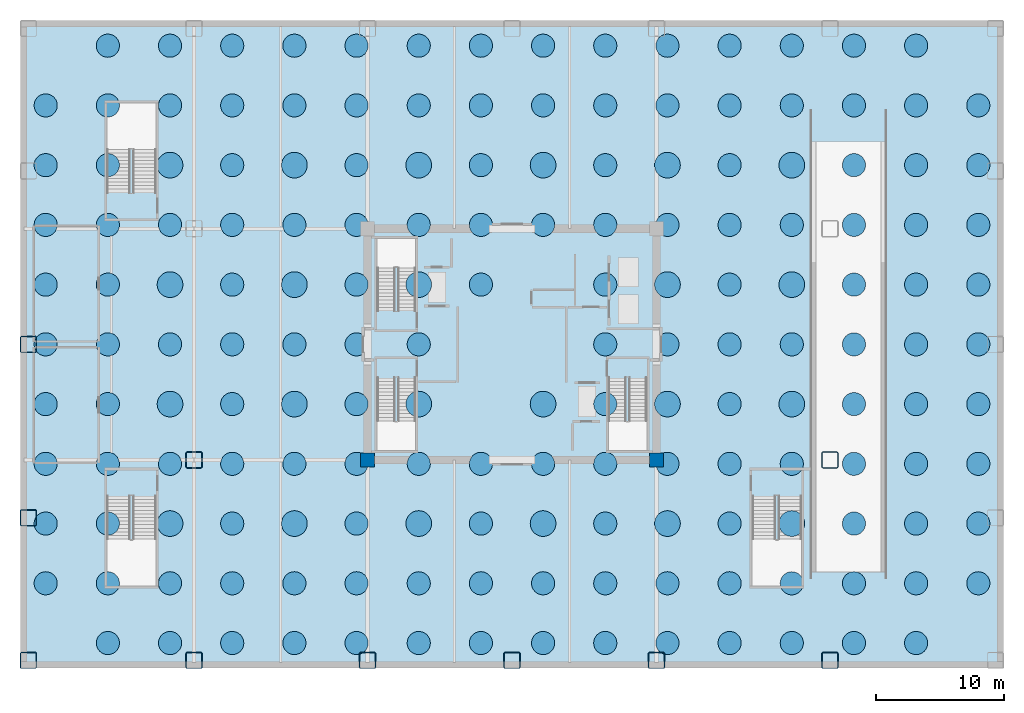
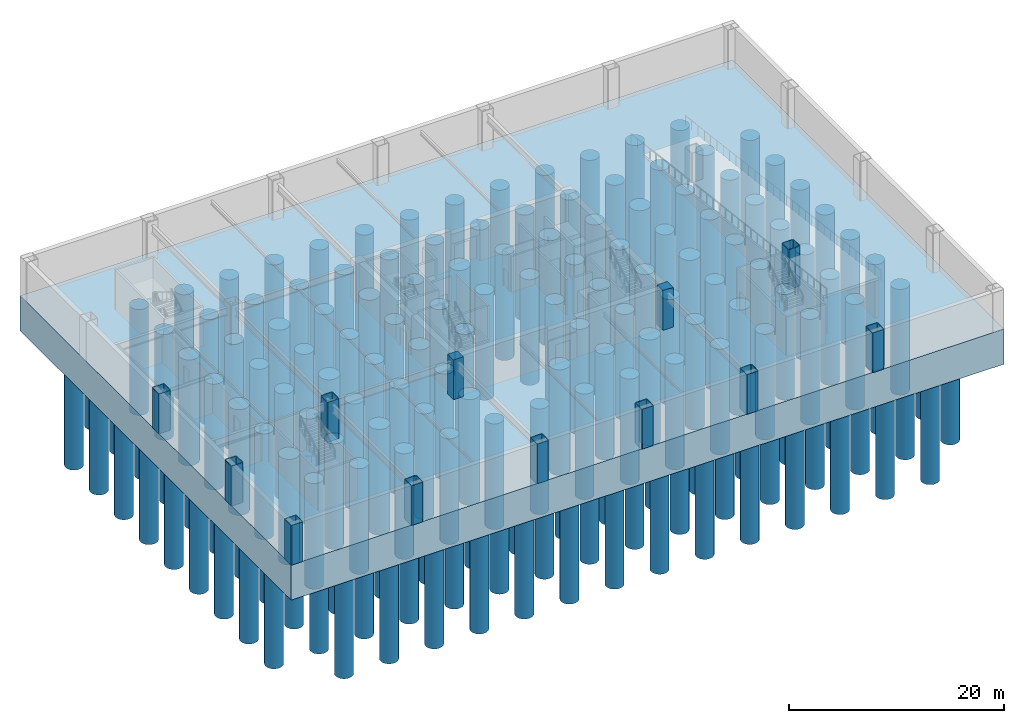
# One storey, part 1 of 11: 168 piles, 12 columns, 1 footing.
"""IFC4 building model written with IfcOpenShell, lengths in metres."""

from ifc_helpers import new_model, si_unit, direction, frame, origin, origin_2d, place, context, subcontext, project, spatial, polyline, rectangle, hollow_rectangle, circle, outline, extrude, source, transform, mapped, material, layer, layer_set, material_profile, profile_set, type_object, element, save


model = new_model("IFC4")

# Units and contexts
model_context = context("Model", 3, precision=1e-05, world=origin(), true_north=direction((0.0, 1.0)))
body_context = subcontext(model_context, "Body", "Model", "MODEL_VIEW")
ifc_project = project(units=[si_unit("LENGTHUNIT", "METRE"), si_unit("AREAUNIT", "SQUARE_METRE"), si_unit("VOLUMEUNIT", "CUBIC_METRE"), si_unit("PLANEANGLEUNIT", "RADIAN"), si_unit("MASSUNIT", "GRAM", prefix="KILO")], contexts=[model_context])

# Site, building, storey
site_placement = place(None, origin())
site = spatial("IfcSite", under=ifc_project, at=site_placement, CompositionType="ELEMENT")
building_placement = place(site_placement, origin())
building = spatial("IfcBuilding", under=site, at=building_placement, Name="Nefas-Gora Pilgrimage Tower", CompositionType="ELEMENT")
storey_placement = place(building_placement, frame((0.0, 0.0, -9.0)))
storey = spatial("IfcBuildingStorey", under=building, at=storey_placement, Name="B02", CompositionType="ELEMENT", Elevation=-9.0)

# Footing
ifc_material_1 = material(Name="Concrete C50/60", Category="concrete")
ifc_layer = layer(ifc_material_1, 4.0)
ifc_layer_set = layer_set([ifc_layer], Name="Concrete C50/60")
footing_type = type_object("IfcFootingType", Name="FTG-RAFT-4000", PredefinedType="CAISSON_FOUNDATION", material=ifc_layer_set)
footing_placement = place(storey_placement, frame((0.0, 0.0, -4.0)))
element("IfcFooting", 1, at=footing_placement, inside=storey, type_object=footing_type, Name="Monolithic Basalt-Socketed Piled Raft RAFT-01", PredefinedType="CAISSON_FOUNDATION", context=body_context, shape_type="SweptSolid", body=[
    extrude(outline(polyline([(-38.25, -25.199951171875), (38.25, -25.199951171875), (38.25, 25.199951171875), (-38.25, 25.199951171875), (-38.25, -25.199951171875)])), origin(), (0.0, 0.0, 1.0), 4.0),
])

# Piles
ifc_material_2 = material(Name="Concrete C45/55", Category="concrete")
ifc_material_profile_1 = material_profile(ifc_material_2, circle(Radius=0.89990234375, at=origin_2d()), Name="PILE D1800")
ifc_profile_set_1 = profile_set([ifc_material_profile_1], Name="Concrete C45/55")
pile_type_1 = type_object("IfcPileType", Name="PILE-BORED-1800", PredefinedType="BORED", material=ifc_profile_set_1)
shared_shape_1 = source(origin(), body_context, "Body", "SweptSolid", [
    extrude(circle(Radius=0.89990234375, at=origin_2d()), origin(), (0.0, 0.0, 1.0), 12.0),
])
for number, where, z_axis, x_axis, name in (
    (2, (-31.4599609375, -23.25, -3.85009765625), (0.0, 0.0, -1.0), (1.0, 0.0, 0.0), "Bored Rock-Socketed Pile P2 (PILE-001)"),
    (3, (-26.6201171875, -23.25, -3.85009765625), (0.0, 0.0, -1.0), (1.0, 0.0, 0.0), "Bored Rock-Socketed Pile P2 (PILE-002)"),
    (4, (-21.780029296875, -23.25, -3.85009765625), (0.0, 0.0, -1.0), (1.0, 0.0, 0.0), "Bored Rock-Socketed Pile P2 (PILE-003)"),
    (5, (-16.93994140625, -23.25, -3.85009765625), (0.0, 0.0, -1.0), (1.0, 0.0, 0.0), "Bored Rock-Socketed Pile P2 (PILE-004)"),
    (6, (-12.10009765625, -23.25, -3.85009765625), (0.0, 0.0, -1.0), (1.0, 0.0, 0.0), "Bored Rock-Socketed Pile P2 (PILE-005)"),
    (7, (-7.260009765625, -23.25, -3.85009765625), (0.0, 0.0, -1.0), (1.0, 0.0, 0.0), "Bored Rock-Socketed Pile P2 (PILE-006)"),
    (8, (-2.419921875, -23.25, -3.85009765625), (0.0, 0.0, -1.0), (1.0, 0.0, 0.0), "Bored Rock-Socketed Pile P2 (PILE-007)"),
    (9, (2.419921875, -23.25, -3.85009765625), (0.0, 0.0, -1.0), (1.0, 0.0, 0.0), "Bored Rock-Socketed Pile P2 (PILE-008)"),
    (10, (7.260009765625, -23.25, -3.85009765625), (0.0, 0.0, -1.0), (1.0, 0.0, 0.0), "Bored Rock-Socketed Pile P2 (PILE-009)"),
    (11, (12.10009765625, -23.25, -3.85009765625), (0.0, 0.0, -1.0), (1.0, 0.0, 0.0), "Bored Rock-Socketed Pile P2 (PILE-010)"),
    (12, (16.93994140625, -23.25, -3.85009765625), (0.0, 0.0, -1.0), (1.0, 0.0, 0.0), "Bored Rock-Socketed Pile P2 (PILE-011)"),
    (13, (21.780029296875, -23.25, -3.85009765625), (0.0, 0.0, -1.0), (1.0, 0.0, 0.0), "Bored Rock-Socketed Pile P2 (PILE-012)"),
    (14, (26.6201171875, -23.25, -3.85009765625), (0.0, 0.0, -1.0), (1.0, 0.0, 0.0), "Bored Rock-Socketed Pile P2 (PILE-013)"),
    (15, (31.4599609375, -23.25, -3.85009765625), (0.0, 0.0, -1.0), (1.0, 0.0, 0.0), "Bored Rock-Socketed Pile P2 (PILE-014)"),
    (16, (-36.300048828125, -18.60009765625, -3.85009765625), (0.0, 0.0, -1.0), (1.0, 0.0, 0.0), "Bored Rock-Socketed Pile P2 (PILE-015)"),
    (17, (-31.4599609375, -18.60009765625, -3.85009765625), (0.0, 0.0, -1.0), (1.0, 0.0, 0.0), "Bored Rock-Socketed Pile P2 (PILE-016)"),
    (18, (-26.6201171875, -18.60009765625, -3.85009765625), (0.0, 0.0, -1.0), (1.0, 0.0, 0.0), "Bored Rock-Socketed Pile P2 (PILE-017)"),
    (19, (-21.780029296875, -18.60009765625, -3.85009765625), (0.0, 0.0, -1.0), (1.0, 0.0, 0.0), "Bored Rock-Socketed Pile P2 (PILE-018)"),
    (20, (-16.93994140625, -18.60009765625, -3.85009765625), (0.0, 0.0, -1.0), (1.0, 0.0, 0.0), "Bored Rock-Socketed Pile P2 (PILE-019)"),
    (21, (-12.10009765625, -18.60009765625, -3.85009765625), (0.0, 0.0, -1.0), (1.0, 0.0, 0.0), "Bored Rock-Socketed Pile P2 (PILE-020)"),
    (22, (-7.260009765625, -18.60009765625, -3.85009765625), (0.0, 0.0, -1.0), (1.0, 0.0, 0.0), "Bored Rock-Socketed Pile P2 (PILE-021)"),
    (23, (-2.419921875, -18.60009765625, -3.85009765625), (0.0, 0.0, -1.0), (1.0, 0.0, 0.0), "Bored Rock-Socketed Pile P2 (PILE-022)"),
    (24, (2.419921875, -18.60009765625, -3.85009765625), (0.0, 0.0, -1.0), (1.0, 0.0, 0.0), "Bored Rock-Socketed Pile P2 (PILE-023)"),
    (25, (7.260009765625, -18.60009765625, -3.85009765625), (0.0, 0.0, -1.0), (1.0, 0.0, 0.0), "Bored Rock-Socketed Pile P2 (PILE-024)"),
    (26, (12.10009765625, -18.60009765625, -3.85009765625), (0.0, 0.0, -1.0), (1.0, 0.0, 0.0), "Bored Rock-Socketed Pile P2 (PILE-025)"),
    (27, (16.93994140625, -18.60009765625, -3.85009765625), (0.0, 0.0, -1.0), (1.0, 0.0, 0.0), "Bored Rock-Socketed Pile P2 (PILE-026)"),
    (28, (21.780029296875, -18.60009765625, -3.85009765625), (0.0, 0.0, -1.0), (1.0, 0.0, 0.0), "Bored Rock-Socketed Pile P2 (PILE-027)"),
    (29, (26.6201171875, -18.60009765625, -3.85009765625), (0.0, 0.0, -1.0), (1.0, 0.0, 0.0), "Bored Rock-Socketed Pile P2 (PILE-028)"),
    (30, (31.4599609375, -18.60009765625, -3.85009765625), (0.0, 0.0, -1.0), (1.0, 0.0, 0.0), "Bored Rock-Socketed Pile P2 (PILE-029)"),
    (31, (36.300048828125, -18.60009765625, -3.85009765625), (0.0, 0.0, -1.0), (1.0, 0.0, 0.0), "Bored Rock-Socketed Pile P2 (PILE-030)"),
    (32, (-36.300048828125, -13.949951171875, -3.85009765625), (0.0, 0.0, -1.0), (1.0, 0.0, 0.0), "Bored Rock-Socketed Pile P2 (PILE-031)"),
    (33, (-31.4599609375, -13.949951171875, -3.85009765625), (0.0, 0.0, -1.0), (1.0, 0.0, 0.0), "Bored Rock-Socketed Pile P2 (PILE-032)"),
    (34, (-21.780029296875, -13.949951171875, -3.85009765625), (0.0, 0.0, -1.0), (1.0, 0.0, 0.0), "Bored Rock-Socketed Pile P2 (PILE-034)"),
    (35, (-12.10009765625, -13.949951171875, -3.85009765625), (0.0, 0.0, -1.0), (1.0, 0.0, 0.0), "Bored Rock-Socketed Pile P2 (PILE-036)"),
    (36, (-2.419921875, -13.949951171875, -3.85009765625), (0.0, 0.0, -1.0), (1.0, 0.0, 0.0), "Bored Rock-Socketed Pile P2 (PILE-038)"),
    (37, (7.260009765625, -13.949951171875, -3.85009765625), (0.0, 0.0, -1.0), (1.0, 0.0, 0.0), "Bored Rock-Socketed Pile P2 (PILE-040)"),
    (38, (16.93994140625, -13.949951171875, -3.85009765625), (0.0, 0.0, -1.0), (1.0, 0.0, 0.0), "Bored Rock-Socketed Pile P2 (PILE-042)"),
    (39, (26.6201171875, -13.949951171875, -3.85009765625), (0.0, 0.0, -1.0), (1.0, 0.0, 0.0), "Bored Rock-Socketed Pile P2 (PILE-044)"),
    (40, (31.4599609375, -13.949951171875, -3.85009765625), (0.0, 0.0, -1.0), (1.0, 0.0, 0.0), "Bored Rock-Socketed Pile P2 (PILE-045)"),
    (41, (36.300048828125, -13.949951171875, -3.85009765625), (0.0, 0.0, -1.0), (1.0, 0.0, 0.0), "Bored Rock-Socketed Pile P2 (PILE-046)"),
    (42, (-36.300048828125, -9.300048828125, -3.85009765625), (0.0, 0.0, -1.0), (1.0, 0.0, 0.0), "Bored Rock-Socketed Pile P2 (PILE-047)"),
    (43, (-31.4599609375, -9.300048828125, -3.85009765625), (0.0, 0.0, -1.0), (1.0, 0.0, 0.0), "Bored Rock-Socketed Pile P2 (PILE-048)"),
    (44, (-26.6201171875, -9.300048828125, -3.85009765625), (0.0, 0.0, -1.0), (1.0, 0.0, 0.0), "Bored Rock-Socketed Pile P2 (PILE-049)"),
    (45, (-21.780029296875, -9.300048828125, -3.85009765625), (0.0, 0.0, -1.0), (1.0, 0.0, 0.0), "Bored Rock-Socketed Pile P2 (PILE-050)"),
    (46, (-16.93994140625, -9.300048828125, -3.85009765625), (0.0, 0.0, -1.0), (1.0, 0.0, 0.0), "Bored Rock-Socketed Pile P2 (PILE-051)"),
    (47, (-12.10009765625, -9.300048828125, -3.85009765625), (0.0, 0.0, -1.0), (1.0, 0.0, 0.0), "Bored Rock-Socketed Pile P2 (PILE-052)"),
    (48, (-7.260009765625, -9.300048828125, -3.85009765625), (0.0, 0.0, -1.0), (1.0, 0.0, 0.0), "Bored Rock-Socketed Pile P2 (PILE-053)"),
    (49, (-2.419921875, -9.300048828125, -3.85009765625), (0.0, 0.0, -1.0), (1.0, 0.0, 0.0), "Bored Rock-Socketed Pile P2 (PILE-054)"),
    (50, (2.419921875, -9.300048828125, -3.85009765625), (0.0, 0.0, -1.0), (1.0, 0.0, 0.0), "Bored Rock-Socketed Pile P2 (PILE-055)"),
    (51, (7.260009765625, -9.300048828125, -3.85009765625), (0.0, 0.0, -1.0), (1.0, 0.0, 0.0), "Bored Rock-Socketed Pile P2 (PILE-056)"),
    (52, (12.10009765625, -9.300048828125, -3.85009765625), (0.0, 0.0, -1.0), (1.0, 0.0, 0.0), "Bored Rock-Socketed Pile P2 (PILE-057)"),
    (53, (16.93994140625, -9.300048828125, -3.85009765625), (0.0, 0.0, -1.0), (1.0, 0.0, 0.0), "Bored Rock-Socketed Pile P2 (PILE-058)"),
    (54, (21.780029296875, -9.300048828125, -3.85009765625), (0.0, 0.0, -1.0), (1.0, 0.0, 0.0), "Bored Rock-Socketed Pile P2 (PILE-059)"),
    (55, (26.6201171875, -9.300048828125, -3.85009765625), (0.0, 0.0, -1.0), (1.0, 0.0, 0.0), "Bored Rock-Socketed Pile P2 (PILE-060)"),
    (56, (31.4599609375, -9.300048828125, -3.85009765625), (0.0, 0.0, -1.0), (1.0, 0.0, 0.0), "Bored Rock-Socketed Pile P2 (PILE-061)"),
    (57, (36.300048828125, -9.300048828125, -3.85009765625), (0.0, 0.0, -1.0), (1.0, 0.0, 0.0), "Bored Rock-Socketed Pile P2 (PILE-062)"),
    (58, (-36.300048828125, -4.64990234375, -3.85009765625), (0.0, 0.0, -1.0), (1.0, 0.0, 0.0), "Bored Rock-Socketed Pile P2 (PILE-063)"),
    (59, (-31.4599609375, -4.64990234375, -3.85009765625), (0.0, 0.0, -1.0), (1.0, 0.0, 0.0), "Bored Rock-Socketed Pile P2 (PILE-064)"),
    (60, (-21.780029296875, -4.64990234375, -3.85009765625), (0.0, 0.0, -1.0), (1.0, 0.0, 0.0), "Bored Rock-Socketed Pile P2 (PILE-066)"),
    (61, (-12.10009765625, -4.64990234375, -3.85009765625), (0.0, 0.0, -1.0), (1.0, 0.0, 0.0), "Bored Rock-Socketed Pile P2 (PILE-068)"),
    (62, (7.260009765625, -4.64990234375, -3.85009765625), (0.0, 0.0, -1.0), (1.0, 0.0, 0.0), "Bored Rock-Socketed Pile P2 (PILE-071)"),
    (63, (16.93994140625, -4.64990234375, -3.85009765625), (0.0, 0.0, -1.0), (1.0, 0.0, 0.0), "Bored Rock-Socketed Pile P2 (PILE-073)"),
    (64, (26.6201171875, -4.64990234375, -3.85009765625), (0.0, 0.0, -1.0), (1.0, 0.0, 0.0), "Bored Rock-Socketed Pile P2 (PILE-075)"),
    (65, (31.4599609375, -4.64990234375, -3.85009765625), (0.0, 0.0, -1.0), (1.0, 0.0, 0.0), "Bored Rock-Socketed Pile P2 (PILE-076)"),
    (66, (36.300048828125, -4.64990234375, -3.85009765625), (0.0, 0.0, -1.0), (1.0, 0.0, 0.0), "Bored Rock-Socketed Pile P2 (PILE-077)"),
    (67, (-36.300048828125, 0.0, -3.85009765625), (0.0, 0.0, -1.0), (1.0, 0.0, 0.0), "Bored Rock-Socketed Pile P2 (PILE-078)"),
    (68, (-31.4599609375, 0.0, -3.85009765625), (0.0, 0.0, -1.0), (1.0, 0.0, 0.0), "Bored Rock-Socketed Pile P2 (PILE-079)"),
    (69, (-26.6201171875, 0.0, -3.85009765625), (0.0, 0.0, -1.0), (1.0, 0.0, 0.0), "Bored Rock-Socketed Pile P2 (PILE-080)"),
    (70, (-21.780029296875, 0.0, -3.85009765625), (0.0, 0.0, -1.0), (1.0, 0.0, 0.0), "Bored Rock-Socketed Pile P2 (PILE-081)"),
    (71, (-16.93994140625, 0.0, -3.85009765625), (0.0, 0.0, -1.0), (1.0, 0.0, 0.0), "Bored Rock-Socketed Pile P2 (PILE-082)"),
    (72, (-12.10009765625, 0.0, -3.85009765625), (0.0, 0.0, -1.0), (1.0, 0.0, 0.0), "Bored Rock-Socketed Pile P2 (PILE-083)"),
    (73, (-7.260009765625, 0.0, -3.85009765625), (0.0, 0.0, -1.0), (1.0, 0.0, 0.0), "Bored Rock-Socketed Pile P2 (PILE-084)"),
    (74, (7.260009765625, 0.0, -3.85009765625), (0.0, 0.0, -1.0), (1.0, 0.0, 0.0), "Bored Rock-Socketed Pile P2 (PILE-085)"),
    (75, (12.10009765625, 0.0, -3.85009765625), (0.0, 0.0, -1.0), (1.0, 0.0, 0.0), "Bored Rock-Socketed Pile P2 (PILE-086)"),
    (76, (16.93994140625, 0.0, -3.85009765625), (0.0, 0.0, -1.0), (1.0, 0.0, 0.0), "Bored Rock-Socketed Pile P2 (PILE-087)"),
    (77, (21.780029296875, 0.0, -3.85009765625), (0.0, 0.0, -1.0), (1.0, 0.0, 0.0), "Bored Rock-Socketed Pile P2 (PILE-088)"),
    (78, (26.6201171875, 0.0, -3.85009765625), (0.0, 0.0, -1.0), (1.0, 0.0, 0.0), "Bored Rock-Socketed Pile P2 (PILE-089)"),
    (79, (31.4599609375, 0.0, -3.85009765625), (0.0, 0.0, -1.0), (1.0, 0.0, 0.0), "Bored Rock-Socketed Pile P2 (PILE-090)"),
    (80, (36.300048828125, 0.0, -3.85009765625), (0.0, 0.0, -1.0), (1.0, 0.0, 0.0), "Bored Rock-Socketed Pile P2 (PILE-091)"),
    (81, (-36.300048828125, 4.64990234375, -3.85009765625), (0.0, 0.0, -1.0), (1.0, 0.0, 0.0), "Bored Rock-Socketed Pile P2 (PILE-092)"),
    (82, (-31.4599609375, 4.64990234375, -3.85009765625), (0.0, 0.0, -1.0), (1.0, 0.0, 0.0), "Bored Rock-Socketed Pile P2 (PILE-093)"),
    (83, (-21.780029296875, 4.64990234375, -3.85009765625), (0.0, 0.0, -1.0), (1.0, 0.0, 0.0), "Bored Rock-Socketed Pile P2 (PILE-095)"),
    (84, (-12.10009765625, 4.64990234375, -3.85009765625), (0.0, 0.0, -1.0), (1.0, 0.0, 0.0), "Bored Rock-Socketed Pile P2 (PILE-097)"),
    (85, (-2.419921875, 4.64990234375, -3.85009765625), (0.0, 0.0, -1.0), (1.0, 0.0, 0.0), "Bored Rock-Socketed Pile P2 (PILE-099)"),
    (86, (7.260009765625, 4.64990234375, -3.85009765625), (0.0, 0.0, -1.0), (1.0, 0.0, 0.0), "Bored Rock-Socketed Pile P2 (PILE-100)"),
    (87, (16.93994140625, 4.64990234375, -3.85009765625), (0.0, 0.0, -1.0), (1.0, 0.0, 0.0), "Bored Rock-Socketed Pile P2 (PILE-102)"),
    (88, (26.6201171875, 4.64990234375, -3.85009765625), (0.0, 0.0, -1.0), (1.0, 0.0, 0.0), "Bored Rock-Socketed Pile P2 (PILE-104)"),
    (89, (31.4599609375, 4.64990234375, -3.85009765625), (0.0, 0.0, -1.0), (1.0, 0.0, 0.0), "Bored Rock-Socketed Pile P2 (PILE-105)"),
    (90, (36.300048828125, 4.64990234375, -3.85009765625), (0.0, 0.0, -1.0), (1.0, 0.0, 0.0), "Bored Rock-Socketed Pile P2 (PILE-106)"),
    (91, (-36.300048828125, 9.300048828125, -3.85009765625), (0.0, 0.0, -1.0), (1.0, 0.0, 0.0), "Bored Rock-Socketed Pile P2 (PILE-107)"),
    (92, (-31.4599609375, 9.300048828125, -3.85009765625), (0.0, 0.0, -1.0), (1.0, 0.0, 0.0), "Bored Rock-Socketed Pile P2 (PILE-108)"),
    (93, (-26.6201171875, 9.300048828125, -3.85009765625), (0.0, 0.0, -1.0), (1.0, 0.0, 0.0), "Bored Rock-Socketed Pile P2 (PILE-109)"),
    (94, (-21.780029296875, 9.300048828125, -3.85009765625), (0.0, 0.0, -1.0), (1.0, 0.0, 0.0), "Bored Rock-Socketed Pile P2 (PILE-110)"),
    (95, (-16.93994140625, 9.300048828125, -3.85009765625), (0.0, 0.0, -1.0), (1.0, 0.0, 0.0), "Bored Rock-Socketed Pile P2 (PILE-111)"),
    (96, (-12.10009765625, 9.300048828125, -3.85009765625), (0.0, 0.0, -1.0), (1.0, 0.0, 0.0), "Bored Rock-Socketed Pile P2 (PILE-112)"),
    (97, (-7.260009765625, 9.300048828125, -3.85009765625), (0.0, 0.0, -1.0), (1.0, 0.0, 0.0), "Bored Rock-Socketed Pile P2 (PILE-113)"),
    (98, (-2.419921875, 9.300048828125, -3.85009765625), (0.0, 0.0, -1.0), (1.0, 0.0, 0.0), "Bored Rock-Socketed Pile P2 (PILE-114)"),
    (99, (2.419921875, 9.300048828125, -3.85009765625), (0.0, 0.0, -1.0), (1.0, 0.0, 0.0), "Bored Rock-Socketed Pile P2 (PILE-115)"),
    (100, (7.260009765625, 9.300048828125, -3.85009765625), (0.0, 0.0, -1.0), (1.0, 0.0, 0.0), "Bored Rock-Socketed Pile P2 (PILE-116)"),
    (101, (12.10009765625, 9.300048828125, -3.85009765625), (0.0, 0.0, -1.0), (1.0, 0.0, 0.0), "Bored Rock-Socketed Pile P2 (PILE-117)"),
    (102, (16.93994140625, 9.300048828125, -3.85009765625), (0.0, 0.0, -1.0), (1.0, 0.0, 0.0), "Bored Rock-Socketed Pile P2 (PILE-118)"),
    (103, (21.780029296875, 9.300048828125, -3.85009765625), (0.0, 0.0, -1.0), (1.0, 0.0, 0.0), "Bored Rock-Socketed Pile P2 (PILE-119)"),
    (104, (26.6201171875, 9.300048828125, -3.85009765625), (0.0, 0.0, -1.0), (1.0, 0.0, 0.0), "Bored Rock-Socketed Pile P2 (PILE-120)"),
    (105, (31.4599609375, 9.300048828125, -3.85009765625), (0.0, 0.0, -1.0), (1.0, 0.0, 0.0), "Bored Rock-Socketed Pile P2 (PILE-121)"),
    (106, (36.300048828125, 9.300048828125, -3.85009765625), (0.0, 0.0, -1.0), (1.0, 0.0, 0.0), "Bored Rock-Socketed Pile P2 (PILE-122)"),
    (107, (-36.300048828125, 13.949951171875, -3.85009765625), (0.0, 0.0, -1.0), (1.0, 0.0, 0.0), "Bored Rock-Socketed Pile P2 (PILE-123)"),
    (108, (-31.4599609375, 13.949951171875, -3.85009765625), (0.0, 0.0, -1.0), (1.0, 0.0, 0.0), "Bored Rock-Socketed Pile P2 (PILE-124)"),
    (109, (-21.780029296875, 13.949951171875, -3.85009765625), (0.0, 0.0, -1.0), (1.0, 0.0, 0.0), "Bored Rock-Socketed Pile P2 (PILE-126)"),
    (110, (-12.10009765625, 13.949951171875, -3.85009765625), (0.0, 0.0, -1.0), (1.0, 0.0, 0.0), "Bored Rock-Socketed Pile P2 (PILE-128)"),
    (111, (-2.419921875, 13.949951171875, -3.85009765625), (0.0, 0.0, -1.0), (1.0, 0.0, 0.0), "Bored Rock-Socketed Pile P2 (PILE-130)"),
    (112, (7.260009765625, 13.949951171875, -3.85009765625), (0.0, 0.0, -1.0), (1.0, 0.0, 0.0), "Bored Rock-Socketed Pile P2 (PILE-132)"),
    (113, (16.93994140625, 13.949951171875, -3.85009765625), (0.0, 0.0, -1.0), (1.0, 0.0, 0.0), "Bored Rock-Socketed Pile P2 (PILE-134)"),
    (114, (26.6201171875, 13.949951171875, -3.85009765625), (0.0, 0.0, -1.0), (1.0, 0.0, 0.0), "Bored Rock-Socketed Pile P2 (PILE-136)"),
    (115, (31.4599609375, 13.949951171875, -3.85009765625), (0.0, 0.0, -1.0), (1.0, 0.0, 0.0), "Bored Rock-Socketed Pile P2 (PILE-137)"),
    (116, (36.300048828125, 13.949951171875, -3.85009765625), (0.0, 0.0, -1.0), (1.0, 0.0, 0.0), "Bored Rock-Socketed Pile P2 (PILE-138)"),
    (117, (-36.300048828125, 18.60009765625, -3.85009765625), (0.0, 0.0, -1.0), (1.0, 0.0, 0.0), "Bored Rock-Socketed Pile P2 (PILE-139)"),
    (118, (-31.4599609375, 18.60009765625, -3.85009765625), (0.0, 0.0, -1.0), (1.0, 0.0, 0.0), "Bored Rock-Socketed Pile P2 (PILE-140)"),
    (119, (-26.6201171875, 18.60009765625, -3.85009765625), (0.0, 0.0, -1.0), (1.0, 0.0, 0.0), "Bored Rock-Socketed Pile P2 (PILE-141)"),
    (120, (-21.780029296875, 18.60009765625, -3.85009765625), (0.0, 0.0, -1.0), (1.0, 0.0, 0.0), "Bored Rock-Socketed Pile P2 (PILE-142)"),
    (121, (-16.93994140625, 18.60009765625, -3.85009765625), (0.0, 0.0, -1.0), (1.0, 0.0, 0.0), "Bored Rock-Socketed Pile P2 (PILE-143)"),
    (122, (-12.10009765625, 18.60009765625, -3.85009765625), (0.0, 0.0, -1.0), (1.0, 0.0, 0.0), "Bored Rock-Socketed Pile P2 (PILE-144)"),
    (123, (-7.260009765625, 18.60009765625, -3.85009765625), (0.0, 0.0, -1.0), (1.0, 0.0, 0.0), "Bored Rock-Socketed Pile P2 (PILE-145)"),
    (124, (-2.419921875, 18.60009765625, -3.85009765625), (0.0, 0.0, -1.0), (1.0, 0.0, 0.0), "Bored Rock-Socketed Pile P2 (PILE-146)"),
    (125, (2.419921875, 18.60009765625, -3.85009765625), (0.0, 0.0, -1.0), (1.0, 0.0, 0.0), "Bored Rock-Socketed Pile P2 (PILE-147)"),
    (126, (7.260009765625, 18.60009765625, -3.85009765625), (0.0, 0.0, -1.0), (1.0, 0.0, 0.0), "Bored Rock-Socketed Pile P2 (PILE-148)"),
    (127, (12.10009765625, 18.60009765625, -3.85009765625), (0.0, 0.0, -1.0), (1.0, 0.0, 0.0), "Bored Rock-Socketed Pile P2 (PILE-149)"),
    (128, (16.93994140625, 18.60009765625, -3.85009765625), (0.0, 0.0, -1.0), (1.0, 0.0, 0.0), "Bored Rock-Socketed Pile P2 (PILE-150)"),
    (129, (21.780029296875, 18.60009765625, -3.85009765625), (0.0, 0.0, -1.0), (1.0, 0.0, 0.0), "Bored Rock-Socketed Pile P2 (PILE-151)"),
    (130, (26.6201171875, 18.60009765625, -3.85009765625), (0.0, 0.0, -1.0), (1.0, 0.0, 0.0), "Bored Rock-Socketed Pile P2 (PILE-152)"),
    (131, (31.4599609375, 18.60009765625, -3.85009765625), (0.0, 0.0, -1.0), (1.0, 0.0, 0.0), "Bored Rock-Socketed Pile P2 (PILE-153)"),
    (132, (36.300048828125, 18.60009765625, -3.85009765625), (0.0, 0.0, -1.0), (1.0, 0.0, 0.0), "Bored Rock-Socketed Pile P2 (PILE-154)"),
    (133, (-31.4599609375, 23.25, -3.85009765625), (0.0, 0.0, -1.0), (1.0, 0.0, 0.0), "Bored Rock-Socketed Pile P2 (PILE-155)"),
    (134, (-26.6201171875, 23.25, -3.85009765625), (0.0, 0.0, -1.0), (1.0, 0.0, 0.0), "Bored Rock-Socketed Pile P2 (PILE-156)"),
    (135, (-21.780029296875, 23.25, -3.85009765625), (0.0, 0.0, -1.0), (1.0, 0.0, 0.0), "Bored Rock-Socketed Pile P2 (PILE-157)"),
    (136, (-16.93994140625, 23.25, -3.85009765625), (0.0, 0.0, -1.0), (1.0, 0.0, 0.0), "Bored Rock-Socketed Pile P2 (PILE-158)"),
    (137, (-12.10009765625, 23.25, -3.85009765625), (0.0, 0.0, -1.0), (1.0, 0.0, 0.0), "Bored Rock-Socketed Pile P2 (PILE-159)"),
    (138, (-7.260009765625, 23.25, -3.85009765625), (0.0, 0.0, -1.0), (1.0, 0.0, 0.0), "Bored Rock-Socketed Pile P2 (PILE-160)"),
    (139, (-2.419921875, 23.25, -3.85009765625), (0.0, 0.0, -1.0), (1.0, 0.0, 0.0), "Bored Rock-Socketed Pile P2 (PILE-161)"),
    (140, (2.419921875, 23.25, -3.85009765625), (0.0, 0.0, -1.0), (1.0, 0.0, 0.0), "Bored Rock-Socketed Pile P2 (PILE-162)"),
    (141, (7.260009765625, 23.25, -3.85009765625), (0.0, 0.0, -1.0), (1.0, 0.0, 0.0), "Bored Rock-Socketed Pile P2 (PILE-163)"),
    (142, (12.10009765625, 23.25, -3.85009765625), (0.0, 0.0, -1.0), (1.0, 0.0, 0.0), "Bored Rock-Socketed Pile P2 (PILE-164)"),
    (143, (16.93994140625, 23.25, -3.85009765625), (0.0, 0.0, -1.0), (1.0, 0.0, 0.0), "Bored Rock-Socketed Pile P2 (PILE-165)"),
    (144, (21.780029296875, 23.25, -3.85009765625), (0.0, 0.0, -1.0), (1.0, 0.0, 0.0), "Bored Rock-Socketed Pile P2 (PILE-166)"),
    (145, (26.6201171875, 23.25, -3.85009765625), (0.0, 0.0, -1.0), (1.0, 0.0, 0.0), "Bored Rock-Socketed Pile P2 (PILE-167)"),
    (146, (31.4599609375, 23.25, -3.85009765625), (0.0, 0.0, -1.0), (1.0, 0.0, 0.0), "Bored Rock-Socketed Pile P2 (PILE-168)"),
):
    element("IfcPile", number, at=place(storey_placement, frame(where, z_axis=z_axis, x_axis=x_axis)), inside=storey, type_object=pile_type_1, Name=name, PredefinedType="BORED", context=body_context, shape_type="MappedRepresentation", body=[
        mapped(shared_shape_1, transform((0.0, 0.0, 0.0), x_axis=(1.0, 0.0, 0.0), y_axis=(0.0, 1.0, 0.0), z_axis=(0.0, 0.0, 1.0), scale=1.0)),
    ])
ifc_material_profile_2 = material_profile(ifc_material_2, circle(Radius=1.0, at=origin_2d()), Name="PILE D2000")
ifc_profile_set_2 = profile_set([ifc_material_profile_2], Name="Concrete C45/55")
pile_type_2 = type_object("IfcPileType", Name="PILE-BORED-2000", PredefinedType="BORED", material=ifc_profile_set_2)
shared_shape_2 = source(origin(), body_context, "Body", "SweptSolid", [
    extrude(circle(Radius=1.0, at=origin_2d()), origin(), (0.0, 0.0, 1.0), 12.0),
])
for number, where, z_axis, x_axis, name in (
    (147, (-26.6201171875, -13.949951171875, -3.85009765625), (0.0, 0.0, -1.0), (1.0, 0.0, 0.0), "Bored Rock-Socketed Pile P1 (PILE-033)"),
    (148, (-16.93994140625, -13.949951171875, -3.85009765625), (0.0, 0.0, -1.0), (1.0, 0.0, 0.0), "Bored Rock-Socketed Pile P1 (PILE-035)"),
    (149, (-7.260009765625, -13.949951171875, -3.85009765625), (0.0, 0.0, -1.0), (1.0, 0.0, 0.0), "Bored Rock-Socketed Pile P1 (PILE-037)"),
    (150, (2.419921875, -13.949951171875, -3.85009765625), (0.0, 0.0, -1.0), (1.0, 0.0, 0.0), "Bored Rock-Socketed Pile P1 (PILE-039)"),
    (151, (12.10009765625, -13.949951171875, -3.85009765625), (0.0, 0.0, -1.0), (1.0, 0.0, 0.0), "Bored Rock-Socketed Pile P1 (PILE-041)"),
    (152, (21.780029296875, -13.949951171875, -3.85009765625), (0.0, 0.0, -1.0), (1.0, 0.0, 0.0), "Bored Rock-Socketed Pile P1 (PILE-043)"),
    (153, (-26.6201171875, -4.64990234375, -3.85009765625), (0.0, 0.0, -1.0), (1.0, 0.0, 0.0), "Bored Rock-Socketed Pile P1 (PILE-065)"),
    (154, (-16.93994140625, -4.64990234375, -3.85009765625), (0.0, 0.0, -1.0), (1.0, 0.0, 0.0), "Bored Rock-Socketed Pile P1 (PILE-067)"),
    (155, (-7.260009765625, -4.64990234375, -3.85009765625), (0.0, 0.0, -1.0), (1.0, 0.0, 0.0), "Bored Rock-Socketed Pile P1 (PILE-069)"),
    (156, (2.419921875, -4.64990234375, -3.85009765625), (0.0, 0.0, -1.0), (1.0, 0.0, 0.0), "Bored Rock-Socketed Pile P1 (PILE-070)"),
    (157, (12.10009765625, -4.64990234375, -3.85009765625), (0.0, 0.0, -1.0), (1.0, 0.0, 0.0), "Bored Rock-Socketed Pile P1 (PILE-072)"),
    (158, (21.780029296875, -4.64990234375, -3.85009765625), (0.0, 0.0, -1.0), (1.0, 0.0, 0.0), "Bored Rock-Socketed Pile P1 (PILE-074)"),
    (159, (-26.6201171875, 4.64990234375, -3.85009765625), (0.0, 0.0, -1.0), (1.0, 0.0, 0.0), "Bored Rock-Socketed Pile P1 (PILE-094)"),
    (160, (-16.93994140625, 4.64990234375, -3.85009765625), (0.0, 0.0, -1.0), (1.0, 0.0, 0.0), "Bored Rock-Socketed Pile P1 (PILE-096)"),
    (161, (-7.260009765625, 4.64990234375, -3.85009765625), (0.0, 0.0, -1.0), (1.0, 0.0, 0.0), "Bored Rock-Socketed Pile P1 (PILE-098)"),
    (162, (12.10009765625, 4.64990234375, -3.85009765625), (0.0, 0.0, -1.0), (1.0, 0.0, 0.0), "Bored Rock-Socketed Pile P1 (PILE-101)"),
    (163, (21.780029296875, 4.64990234375, -3.85009765625), (0.0, 0.0, -1.0), (1.0, 0.0, 0.0), "Bored Rock-Socketed Pile P1 (PILE-103)"),
    (164, (-26.6201171875, 13.949951171875, -3.85009765625), (0.0, 0.0, -1.0), (1.0, 0.0, 0.0), "Bored Rock-Socketed Pile P1 (PILE-125)"),
    (165, (-16.93994140625, 13.949951171875, -3.85009765625), (0.0, 0.0, -1.0), (1.0, 0.0, 0.0), "Bored Rock-Socketed Pile P1 (PILE-127)"),
    (166, (-7.260009765625, 13.949951171875, -3.85009765625), (0.0, 0.0, -1.0), (1.0, 0.0, 0.0), "Bored Rock-Socketed Pile P1 (PILE-129)"),
    (167, (2.419921875, 13.949951171875, -3.85009765625), (0.0, 0.0, -1.0), (1.0, 0.0, 0.0), "Bored Rock-Socketed Pile P1 (PILE-131)"),
    (168, (12.10009765625, 13.949951171875, -3.85009765625), (0.0, 0.0, -1.0), (1.0, 0.0, 0.0), "Bored Rock-Socketed Pile P1 (PILE-133)"),
    (169, (21.780029296875, 13.949951171875, -3.85009765625), (0.0, 0.0, -1.0), (1.0, 0.0, 0.0), "Bored Rock-Socketed Pile P1 (PILE-135)"),
):
    element("IfcPile", number, at=place(storey_placement, frame(where, z_axis=z_axis, x_axis=x_axis)), inside=storey, type_object=pile_type_2, Name=name, PredefinedType="BORED", context=body_context, shape_type="MappedRepresentation", body=[
        mapped(shared_shape_2, transform((0.0, 0.0, 0.0), x_axis=(1.0, 0.0, 0.0), y_axis=(0.0, 1.0, 0.0), z_axis=(0.0, 0.0, 1.0), scale=1.0)),
    ])

# Columns
ifc_material_3 = material(Name="Steel S460", Category="steel")
ifc_material_profile_3 = material_profile(ifc_material_3, hollow_rectangle(XDim=1.300048828125, YDim=1.300048828125, WallThickness=0.06494140625, InnerFilletRadius=0.06494140625, OuterFilletRadius=0.1298828125, at=origin_2d()), Name="BOX 1300x1300x65")
ifc_profile_set_3 = profile_set([ifc_material_profile_3], Name="Steel S460")
column_type_1 = type_object("IfcColumnType", Name="COL-MEGA-1300E", PredefinedType="COLUMN", material=ifc_profile_set_3)
shared_shape_3 = source(origin(), body_context, "Body", "SweptSolid", [
    extrude(hollow_rectangle(XDim=1.300048828125, YDim=1.300048828125, WallThickness=0.06494140625, InnerFilletRadius=0.06494140625, OuterFilletRadius=0.1298828125, at=origin_2d()), origin(), (0.0, 0.0, 1.0), 4.5),
])
for number, where, z_axis, x_axis, name in (
    (170, (-37.64990234375, -24.60009765625, 0.0), (0.0, 0.0, 1.0), (1.0, 0.0, 0.0), "B02 Mega-Column MC-01E.1"),
    (171, (-37.64990234375, -13.5, 0.0), (0.0, 0.0, 1.0), (1.0, 0.0, 0.0), "B02 Mega-Column MC-01E.2"),
    (172, (-37.64990234375, 0.0, 0.0), (0.0, 0.0, 1.0), (1.0, 0.0, 0.0), "B02 Mega-Column MC-01E.3"),
    (173, (-24.75, -24.60009765625, 0.0), (0.0, 0.0, 1.0), (1.0, 0.0, 0.0), "B02 Mega-Column MC-01E.6"),
    (174, (-11.25, -24.60009765625, 0.0), (0.0, 0.0, 1.0), (1.0, 0.0, 0.0), "B02 Mega-Column MC-01E.10"),
    (175, (0.0, -24.60009765625, 0.0), (0.0, 0.0, 1.0), (1.0, 0.0, 0.0), "B02 Mega-Column MC-01E.14"),
    (176, (11.25, -24.60009765625, 0.0), (0.0, 0.0, 1.0), (1.0, 0.0, 0.0), "B02 Mega-Column MC-01E.16"),
    (177, (24.75, -24.60009765625, 0.0), (0.0, 0.0, 1.0), (1.0, 0.0, 0.0), "B02 Mega-Column MC-01E.20"),
):
    element("IfcColumn", number, at=place(storey_placement, frame(where, z_axis=z_axis, x_axis=x_axis)), inside=storey, type_object=column_type_1, Name=name, PredefinedType="COLUMN", context=body_context, shape_type="MappedRepresentation", body=[
        mapped(shared_shape_3, transform((0.0, 0.0, 0.0), x_axis=(1.0, 0.0, 0.0), y_axis=(0.0, 1.0, 0.0), z_axis=(0.0, 0.0, 1.0), scale=1.0)),
    ])
ifc_material_profile_4 = material_profile(ifc_material_3, hollow_rectangle(XDim=1.300048828125, YDim=1.300048828125, WallThickness=0.06494140625, InnerFilletRadius=0.06494140625, OuterFilletRadius=0.1298828125, at=origin_2d()), Name="BOX 1300x1300x65")
ifc_profile_set_4 = profile_set([ifc_material_profile_4], Name="Steel S460")
column_type_2 = type_object("IfcColumnType", Name="COL-MEGA-1300", PredefinedType="COLUMN", material=ifc_profile_set_4)
shared_shape_4 = source(origin(), body_context, "Body", "SweptSolid", [
    extrude(hollow_rectangle(XDim=1.300048828125, YDim=1.300048828125, WallThickness=0.06494140625, InnerFilletRadius=0.06494140625, OuterFilletRadius=0.1298828125, at=origin_2d()), origin(), (0.0, 0.0, 1.0), 4.5),
])
for number, where, z_axis, x_axis, name in (
    (178, (-24.75, -9.0, 0.0), (0.0, 0.0, 1.0), (1.0, 0.0, 0.0), "B02 Mega-Column MC-01.7"),
    (179, (24.75, -9.0, 0.0), (0.0, 0.0, 1.0), (1.0, 0.0, 0.0), "B02 Mega-Column MC-01.21"),
):
    element("IfcColumn", number, at=place(storey_placement, frame(where, z_axis=z_axis, x_axis=x_axis)), inside=storey, type_object=column_type_2, Name=name, PredefinedType="COLUMN", context=body_context, shape_type="MappedRepresentation", body=[
        mapped(shared_shape_4, transform((0.0, 0.0, 0.0), x_axis=(1.0, 0.0, 0.0), y_axis=(0.0, 1.0, 0.0), z_axis=(0.0, 0.0, 1.0), scale=1.0)),
    ])
ifc_material_4 = material(Name="Concrete C60/75", Category="concrete")
ifc_material_profile_5 = material_profile(ifc_material_4, rectangle(XDim=1.10009765625, YDim=1.10009765625, at=origin_2d()), Name="RC 1100x1100")
ifc_profile_set_5 = profile_set([ifc_material_profile_5], Name="Concrete C60/75")
column_type_3 = type_object("IfcColumnType", Name="COL-RC-1100", PredefinedType="COLUMN", material=ifc_profile_set_5)
shared_shape_5 = source(origin(), body_context, "Body", "SweptSolid", [
    extrude(rectangle(XDim=1.10009765625, YDim=1.10009765625, at=origin_2d()), origin(), (0.0, 0.0, 1.0), 4.5),
])
for number, where, z_axis, x_axis, name in (
    (180, (-11.25, -9.0, 0.0), (0.0, 0.0, 1.0), (1.0, 0.0, 0.0), "B02 Mega-Column CRC-01.11"),
    (181, (11.25, -9.0, 0.0), (0.0, 0.0, 1.0), (1.0, 0.0, 0.0), "B02 Mega-Column CRC-01.17"),
):
    element("IfcColumn", number, at=place(storey_placement, frame(where, z_axis=z_axis, x_axis=x_axis)), inside=storey, type_object=column_type_3, Name=name, PredefinedType="COLUMN", context=body_context, shape_type="MappedRepresentation", body=[
        mapped(shared_shape_5, transform((0.0, 0.0, 0.0), x_axis=(1.0, 0.0, 0.0), y_axis=(0.0, 1.0, 0.0), z_axis=(0.0, 0.0, 1.0), scale=1.0)),
    ])

save(model, "model.ifc")
